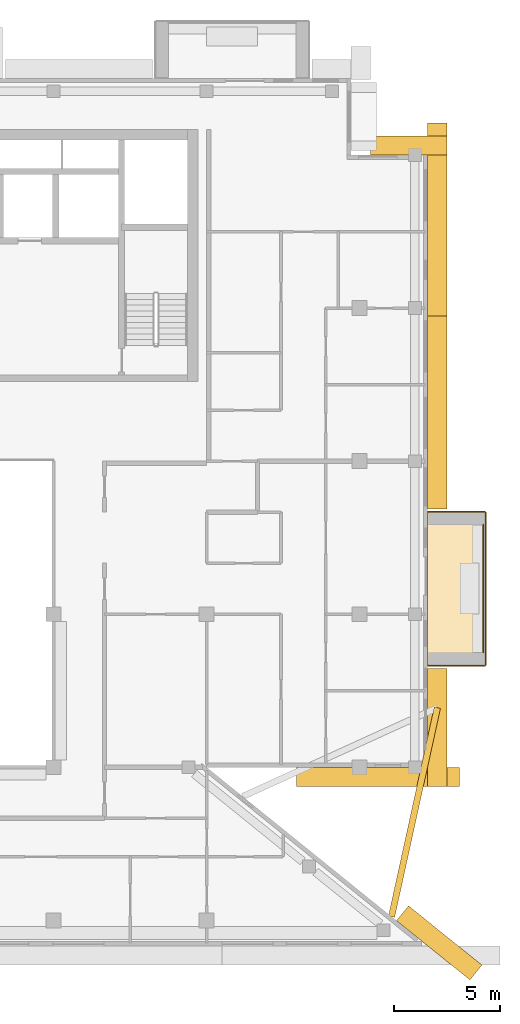
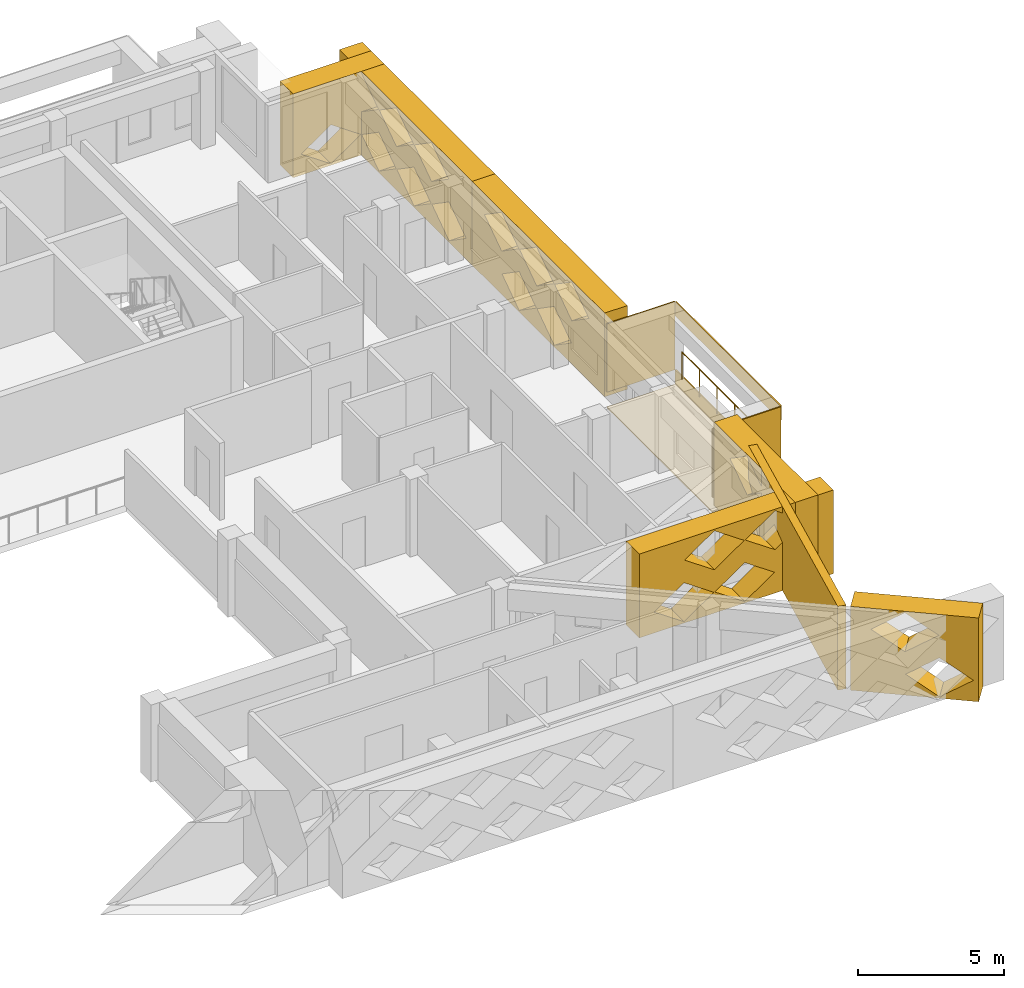
# One storey, part 18 of 18: 12 coverings, 1 railing.
"""IFC4 building model written with IfcOpenShell, lengths in metres."""

from ifc_helpers import new_model, si_unit, direction, frame, origin, origin_2d, place, context, subcontext, project, spatial, polyline, circle, outline, extrude, material, layer, layer_set, type_object, element, save


model = new_model("IFC4")

# Units and contexts
model_context = context("Model", 3, precision=1e-05, world=origin(), true_north=direction((0.0, 1.0)))
body_context = subcontext(model_context, "Body", "Model", "MODEL_VIEW")
ifc_project = project(units=[si_unit("LENGTHUNIT", "METRE"), si_unit("AREAUNIT", "SQUARE_METRE"), si_unit("VOLUMEUNIT", "CUBIC_METRE"), si_unit("PLANEANGLEUNIT", "RADIAN"), si_unit("MASSUNIT", "GRAM", prefix="KILO")], contexts=[model_context])

# Site, building, storey
site_placement = place(None, origin())
site = spatial("IfcSite", under=ifc_project, at=site_placement, CompositionType="ELEMENT")
building_placement = place(site_placement, origin())
building = spatial("IfcBuilding", under=site, at=building_placement, Name="Saffron Iwan Residences", CompositionType="ELEMENT")
storey_placement = place(building_placement, frame((0.0, 0.0, 257.0)))
storey = spatial("IfcBuildingStorey", under=building, at=storey_placement, Name="L69", CompositionType="ELEMENT", Elevation=257.0)

# Railing
ifc_material_1 = material(Name="Stainless steel 316", Category="steel")
railing_type = type_object("IfcRailingType", Name="BALCONY GUARD 1150", PredefinedType="GUARDRAIL", material=ifc_material_1)
railing_placement = place(storey_placement, frame((85.02490234375, 53.39990234375, 0.0)))
element("IfcRailing", 1, at=railing_placement, inside=storey, type_object=railing_type, Name="Balcony guard L69 F2-0", PredefinedType="GUARDRAIL", context=body_context, shape_type="SweptSolid", body=[
    extrude(circle(Radius=0.02392578125, at=origin_2d()), frame((0.0, 0.0, 1.1259765625), z_axis=(0.0, 1.0, 0.0), x_axis=(-1.0, 0.0, 0.0)), (0.0, 0.0, 1.0), 6.0),
    extrude(circle(Radius=0.02099609375, at=origin_2d()), origin(), (0.0, 0.0, 1.0), 1.101806640625),
    extrude(circle(Radius=0.02099609375, at=origin_2d()), frame((0.0, 1.199951171875, 0.0)), (0.0, 0.0, 1.0), 1.101806640625),
    extrude(circle(Radius=0.02099609375, at=origin_2d()), frame((0.0, 2.39990234375, 0.0)), (0.0, 0.0, 1.0), 1.101806640625),
    extrude(circle(Radius=0.02099609375, at=origin_2d()), frame((0.0, 3.60009765625, 0.0)), (0.0, 0.0, 1.0), 1.101806640625),
    extrude(circle(Radius=0.02099609375, at=origin_2d()), frame((0.0, 4.800048828125, 0.0)), (0.0, 0.0, 1.0), 1.101806640625),
    extrude(circle(Radius=0.02099609375, at=origin_2d()), frame((0.0, 6.0, 0.0)), (0.0, 0.0, 1.0), 1.101806640625),
])

# Coverings
ifc_material_2 = material(Name="Precast concrete C40/50 white painted", Category="concrete")
ifc_layer_1 = layer(ifc_material_2, 0.050048828125)
ifc_layer_set_1 = layer_set([ifc_layer_1], Name="Precast concrete C40/50 white painted")
covering_type_1 = type_object("IfcCoveringType", Name="FRAME SKIN PRECAST WHITE 50", PredefinedType="CLADDING", material=ifc_layer_set_1)
for number, where, name in (
    (2, (0.0, 0.0, -0.60009765625), "Frame skin slab edge L69 F2-0"),
    (3, (0.0, 0.0, 2.25), "Frame skin fascia L69 F2-0"),
):
    element("IfcCovering", number, at=place(storey_placement, frame(where)), inside=storey, type_object=covering_type_1, Name=name, PredefinedType="CLADDING", context=body_context, shape_type="SweptSolid", body=[
        extrude(outline(polyline([(85.14990234375, 52.800048828125), (85.14990234375, 60.0), (85.10009765625, 60.0), (85.10009765625, 52.800048828125), (85.14990234375, 52.800048828125)])), origin(), (0.0, 0.0, 1.0), 0.60009765625),
    ])
covering_1_placement = place(storey_placement, frame((0.0, 0.0, -0.64990234375)))
element("IfcCovering", 4, at=covering_1_placement, inside=storey, type_object=covering_type_1, Name="Frame skin soffit L69 F2-0", PredefinedType="CLADDING", context=body_context, shape_type="SweptSolid", body=[
    extrude(outline(polyline([(85.10009765625, 52.800048828125), (85.10009765625, 60.0), (82.39990234375, 60.0), (82.39990234375, 52.800048828125), (85.10009765625, 52.800048828125)])), origin(), (0.0, 0.0, 1.0), 0.0498046875),
])
covering_2_placement = place(storey_placement, origin())
element("IfcCovering", 5, at=covering_2_placement, inside=storey, type_object=covering_type_1, Name="Frame skin fin L69 F2-0a", PredefinedType="CLADDING", context=body_context, shape_type="SweptSolid", body=[
    extrude(outline(polyline([(85.10009765625, 52.75), (85.10009765625, 52.800048828125), (82.39990234375, 52.800048828125), (82.39990234375, 52.75), (85.10009765625, 52.75)])), origin(), (0.0, 0.0, 1.0), 2.85009765625),
])
covering_3_placement = place(storey_placement, origin())
element("IfcCovering", 6, at=covering_3_placement, inside=storey, type_object=covering_type_1, Name="Frame skin fin L69 F2-0b", PredefinedType="CLADDING", context=body_context, shape_type="SweptSolid", body=[
    extrude(outline(polyline([(85.10009765625, 60.0), (85.10009765625, 60.050048828125), (82.39990234375, 60.050048828125), (82.39990234375, 60.0), (85.10009765625, 60.0)])), origin(), (0.0, 0.0, 1.0), 2.85009765625),
])
ifc_material_3 = material(Name="Precast concrete C40/50", Category="concrete")
covering_type_2 = type_object("IfcCoveringType", Name="OUTER SKIN LATTICE SCREEN", PredefinedType="CLADDING", material=ifc_material_3)
covering_4_placement = place(storey_placement, frame((84.387939453125, 37.994384765625, -0.280029296875), z_axis=(0.628558089533, 0.777762642509, 0.0), x_axis=(-0.777762642509, 0.628558089533, 0.0)))
element("IfcCovering", 7, at=covering_4_placement, inside=storey, type_object=covering_type_2, Name="OUTER SKIN lattice screen L69 F0.0", PredefinedType="CLADDING", context=body_context, shape_type="SweptSolid", body=[
    extrude(outline(polyline([(0.0, 0.0), (4.439697265625, 0.0), (4.439697265625, 3.5), (0.0, 3.5), (0.0, 0.0)]), holes=[polyline([(0.175537109375, 0.875), (1.35546875, 0.06005859375), (2.535400390625, 0.875), (1.35546875, 1.68994140625), (0.175537109375, 0.875)]), polyline([(1.37548828125, 2.625), (2.555419921875, 1.81005859375), (3.735595703125, 2.625), (2.555419921875, 3.43994140625), (1.37548828125, 2.625)])]), origin(), (0.0, 0.0, 1.0), 0.89990234375),
])
covering_5_placement = place(storey_placement, frame((76.235595703125, 48.0, -0.280029296875), z_axis=(0.0, -1.0, 0.0), x_axis=(1.0, 0.0, 0.0)))
element("IfcCovering", 8, at=covering_5_placement, inside=storey, type_object=covering_type_2, Name="OUTER SKIN lattice screen L69 F1.0", PredefinedType="CLADDING", context=body_context, shape_type="SweptSolid", body=[
    extrude(outline(polyline([(0.0, 0.0), (7.66455078125, 0.0), (7.66455078125, 3.5), (0.0, 3.5), (0.0, 0.0)]), holes=[polyline([(0.58447265625, 0.875), (1.764404296875, 0.06005859375), (2.944580078125, 0.875), (1.764404296875, 1.68994140625), (0.58447265625, 0.875)]), polyline([(2.984619140625, 0.875), (4.16455078125, 0.06005859375), (5.344482421875, 0.875), (4.16455078125, 1.68994140625), (2.984619140625, 0.875)]), polyline([(1.784423828125, 2.625), (2.964599609375, 1.81005859375), (4.14453125, 2.625), (2.964599609375, 3.43994140625), (1.784423828125, 2.625)]), polyline([(4.1845703125, 2.625), (5.364501953125, 1.81005859375), (6.54443359375, 2.625), (5.364501953125, 3.43994140625), (4.1845703125, 2.625)])]), origin(), (0.0, 0.0, 1.0), 0.89990234375),
])
covering_6_placement = place(storey_placement, frame((82.39990234375, 47.10009765625, -0.280029296875), z_axis=(1.0, 0.0, 0.0), x_axis=(0.0, 1.0, 0.0)))
element("IfcCovering", 9, at=covering_6_placement, inside=storey, type_object=covering_type_2, Name="OUTER SKIN lattice screen L69 F2.0", PredefinedType="CLADDING", context=body_context, shape_type="SweptSolid", body=[
    extrude(outline(polyline([(0.0, 0.0), (5.550048828125, 0.0), (5.550048828125, 3.5), (0.0, 3.5), (0.0, 0.0)]), holes=[polyline([(0.919921875, 0.875), (2.10009765625, 0.06005859375), (3.280029296875, 0.875), (2.10009765625, 1.68994140625), (0.919921875, 0.875)]), polyline([(2.1201171875, 2.625), (3.300048828125, 1.81005859375), (4.47998046875, 2.625), (3.300048828125, 3.43994140625), (2.1201171875, 2.625)])]), origin(), (0.0, 0.0, 1.0), 0.900146484375),
])
covering_7_placement = place(storey_placement, frame((82.39990234375, 60.14990234375, -0.280029296875), z_axis=(1.0, 0.0, 0.0), x_axis=(0.0, 1.0, 0.0)))
element("IfcCovering", 10, at=covering_7_placement, inside=storey, type_object=covering_type_2, Name="OUTER SKIN lattice screen L69 F2.1", PredefinedType="CLADDING", context=body_context, shape_type="SweptSolid", body=[
    extrude(outline(polyline([(0.0, 0.0), (9.074951171875, 0.0), (9.074951171875, 3.5), (0.0, 3.5), (0.0, 0.0)]), holes=[polyline([(2.27001953125, 0.875), (3.449951171875, 0.06005859375), (4.6298828125, 0.875), (3.449951171875, 1.68994140625), (2.27001953125, 0.875)]), polyline([(4.669921875, 0.875), (5.85009765625, 0.06005859375), (7.030029296875, 0.875), (5.85009765625, 1.68994140625), (4.669921875, 0.875)]), polyline([(1.070068359375, 2.625), (2.25, 1.81005859375), (3.429931640625, 2.625), (2.25, 3.43994140625), (1.070068359375, 2.625)]), polyline([(3.469970703125, 2.625), (4.64990234375, 1.81005859375), (5.830078125, 2.625), (4.64990234375, 3.43994140625), (3.469970703125, 2.625)]), polyline([(5.8701171875, 2.625), (7.050048828125, 1.81005859375), (8.22998046875, 2.625), (7.050048828125, 3.43994140625), (5.8701171875, 2.625)])]), origin(), (0.0, 0.0, 1.0), 0.900146484375),
])
covering_8_placement = place(storey_placement, frame((82.39990234375, 69.22509765625, -0.280029296875), z_axis=(1.0, 0.0, 0.0), x_axis=(0.0, 1.0, 0.0)))
element("IfcCovering", 11, at=covering_8_placement, inside=storey, type_object=covering_type_2, Name="OUTER SKIN lattice screen L69 F2.2", PredefinedType="CLADDING", context=body_context, shape_type="SweptSolid", body=[
    extrude(outline(polyline([(0.0, 0.0), (9.074951171875, 0.0), (9.074951171875, 3.5), (0.0, 3.5), (0.0, 0.0)]), holes=[polyline([(0.39501953125, 0.875), (1.574951171875, 0.06005859375), (2.7548828125, 0.875), (1.574951171875, 1.68994140625), (0.39501953125, 0.875)]), polyline([(2.794921875, 0.875), (3.97509765625, 0.06005859375), (5.155029296875, 0.875), (3.97509765625, 1.68994140625), (2.794921875, 0.875)]), polyline([(5.195068359375, 0.875), (6.375, 0.06005859375), (7.554931640625, 0.875), (6.375, 1.68994140625), (5.195068359375, 0.875)]), polyline([(1.594970703125, 2.625), (2.77490234375, 1.81005859375), (3.955078125, 2.625), (2.77490234375, 3.43994140625), (1.594970703125, 2.625)]), polyline([(3.9951171875, 2.625), (5.175048828125, 1.81005859375), (6.35498046875, 2.625), (5.175048828125, 3.43994140625), (3.9951171875, 2.625)]), polyline([(6.39501953125, 2.625), (7.574951171875, 1.81005859375), (8.7548828125, 2.625), (7.574951171875, 3.43994140625), (6.39501953125, 2.625)])]), origin(), (0.0, 0.0, 1.0), 0.900146484375),
])
covering_9_placement = place(storey_placement, frame((83.300048828125, 76.800048828125, -0.280029296875), z_axis=(0.0, 1.0, 0.0), x_axis=(-1.0, 0.0, 0.0)))
element("IfcCovering", 12, at=covering_9_placement, inside=storey, type_object=covering_type_2, Name="OUTER SKIN lattice screen L69 F3.0", PredefinedType="CLADDING", context=body_context, shape_type="SweptSolid", body=[
    extrude(outline(polyline([(0.0, 0.0), (3.60009765625, 0.0), (3.60009765625, 3.5), (0.0, 3.5), (0.0, 0.0)]), holes=[polyline([(0.919921875, 0.875), (2.10009765625, 0.06005859375), (3.280029296875, 0.875), (2.10009765625, 1.68994140625), (0.919921875, 0.875)])]), origin(), (0.0, 0.0, 1.0), 0.89990234375),
])
ifc_layer_2 = layer(ifc_material_2, 0.300048828125)
ifc_layer_set_2 = layer_set([ifc_layer_2], Name="Precast concrete C40/50 white painted")
covering_type_3 = type_object("IfcCoveringType", Name="PROW NOSE BLADE PRECAST WHITE", PredefinedType="CLADDING", material=ifc_layer_set_2)
covering_10_placement = place(storey_placement, frame((0.0, 0.0, -0.280029296875)))
element("IfcCovering", 13, at=covering_10_placement, inside=storey, type_object=covering_type_3, Name="Prow nose blade L69 a", PredefinedType="CLADDING", context=body_context, shape_type="SweptSolid", body=[
    extrude(outline(polyline([(80.847412109375, 40.9404296875), (83.001708984375, 50.769287109375), (82.70849609375, 50.83349609375), (80.55419921875, 41.004638671875), (80.847412109375, 40.9404296875)])), origin(), (0.0, 0.0, 1.0), 3.5),
])

save(model, "model.ifc")
